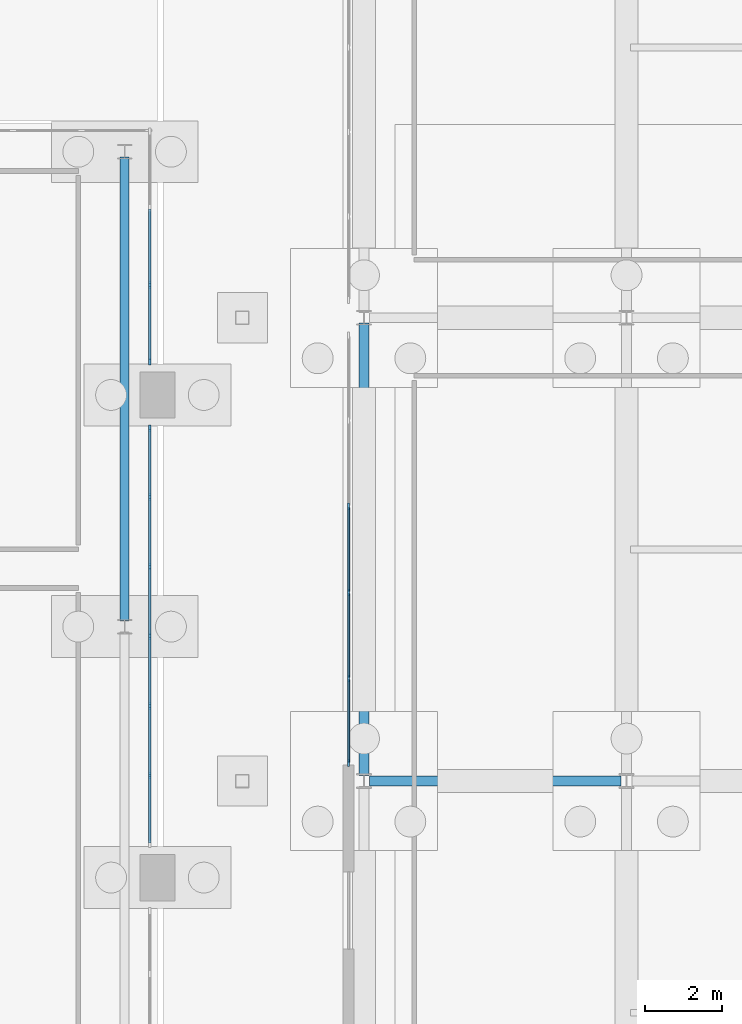
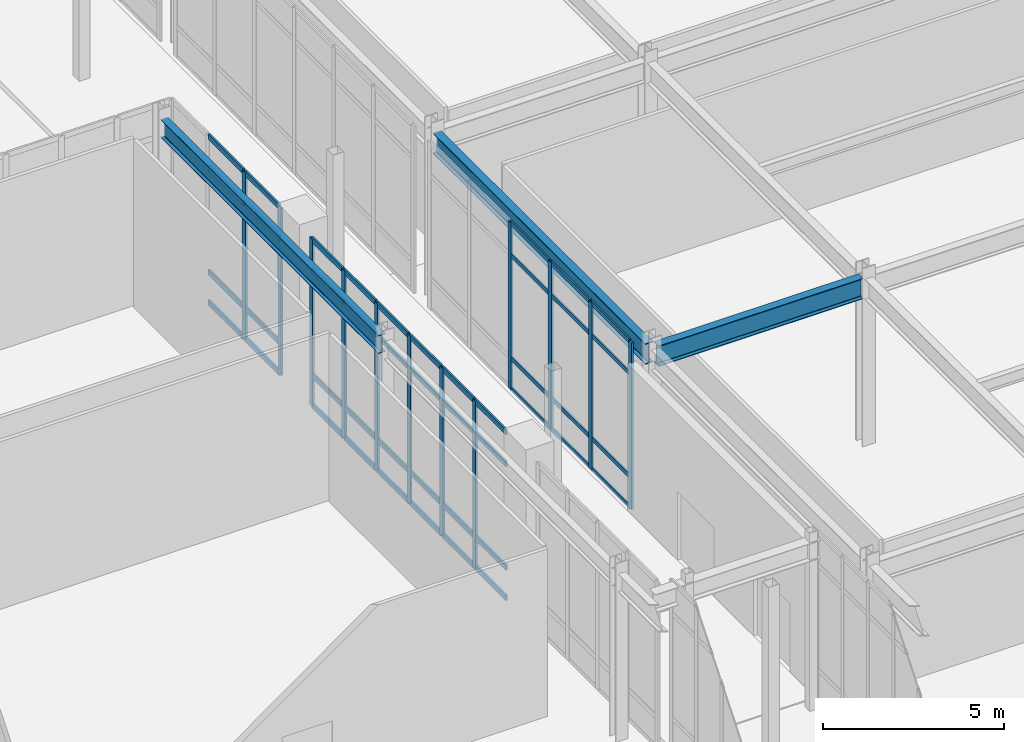
# One storey, part 62 of 143: 56 members, 3 beams, 3 elements without a shape of their own.
"""IFC4 building model written with IfcOpenShell, lengths in metres."""

from ifc_helpers import new_model, si_unit, derived_unit, direction, frame, origin, origin_2d, place, context, subcontext, project, spatial, rectangle, i_section, extrude, material, layer, layer_set, material_profile, profile_set, type_object, element, aggregate, save


model = new_model("IFC4")

# Units and contexts
model_context = context("Model", 3, precision=1e-05, world=origin(), true_north=direction((0.0, 1.0)))
body_context = subcontext(model_context, "Body", "Model", "MODEL_VIEW")
ifc_project = project(units=[si_unit("LENGTHUNIT", "METRE"), si_unit("AREAUNIT", "SQUARE_METRE"), si_unit("VOLUMEUNIT", "CUBIC_METRE"), si_unit("PLANEANGLEUNIT", "RADIAN"), si_unit("MASSUNIT", "GRAM", prefix="KILO"), derived_unit("THERMALTRANSMITTANCEUNIT", [(si_unit("MASSUNIT", "GRAM", prefix="KILO"), 1), (si_unit("TIMEUNIT", "SECOND"), -3), (si_unit("THERMODYNAMICTEMPERATUREUNIT", "KELVIN"), -1)])], contexts=[model_context])

# Site, building, storey
site_placement = place(None, origin())
site = spatial("IfcSite", under=ifc_project, at=site_placement, CompositionType="ELEMENT")
building_placement = place(site_placement, origin())
building = spatial("IfcBuilding", under=site, at=building_placement, Name="Valcora Ridge Arena", CompositionType="ELEMENT")
storey_placement = place(building_placement, origin())
storey = spatial("IfcBuildingStorey", under=building, at=storey_placement, Name="L00", CompositionType="ELEMENT", Elevation=0.0)

# Beams
ifc_material_1 = material(Name="Steel ASTM A572 Grade 50", Category="steel")
ifc_material_profile_1 = material_profile(ifc_material_1, i_section(OverallWidth=0.22900390625, OverallDepth=0.612060546875, WebThickness=0.011962890625, FlangeThickness=0.01953125, FilletRadius=0.01806640625, at=origin_2d()), Name="W24X84")
ifc_profile_set_1 = profile_set([ifc_material_profile_1], Name="Steel ASTM A572 Grade 50")
beam_type_1 = type_object("IfcBeamType", Name="TY-BEAM-G-W24X84-Y", PredefinedType="BEAM", material=ifc_profile_set_1)
beam_1_placement = place(storey_placement, frame((131.0, 32.139892578125, 5.333984375), z_axis=(0.0, 1.0, 0.0), x_axis=(-1.0, 0.0, 0.0)))
element("IfcBeam", 1, at=beam_1_placement, inside=storey, type_object=beam_type_1, Name="G-W24X84-Y BEM-G-W24X84-Y-0008", PredefinedType="BEAM", context=body_context, shape_type="SweptSolid", body=[
    extrude(i_section(OverallWidth=0.22900390625, OverallDepth=0.612060546875, WebThickness=0.011962890625, FlangeThickness=0.01953125, FilletRadius=0.01806640625, at=origin_2d()), origin(), (0.0, 0.0, 1.0), 12.02001953125),
])
ifc_material_profile_2 = material_profile(ifc_material_1, i_section(OverallWidth=0.256103515625, OverallDepth=0.693115234375, WebThickness=0.014404296875, FlangeThickness=0.023681640625, FilletRadius=0.02001953125, at=origin_2d()), Name="W27X114")
ifc_profile_set_2 = profile_set([ifc_material_profile_2], Name="Steel ASTM A572 Grade 50")
beam_type_2 = type_object("IfcBeamType", Name="TY-BEAM-G-W27X114-X", PredefinedType="BEAM", material=ifc_profile_set_2)
beam_2_placement = place(storey_placement, frame((137.340087890625, 28.0, 5.2734375), z_axis=(1.0, 0.0, 0.0), x_axis=(0.0, 1.0, 0.0)))
element("IfcBeam", 2, at=beam_2_placement, inside=storey, type_object=beam_type_2, Name="G-W27X114-X BEM-G-W27X114-X-0004", PredefinedType="BEAM", context=body_context, shape_type="SweptSolid", body=[
    extrude(i_section(OverallWidth=0.256103515625, OverallDepth=0.693115234375, WebThickness=0.014404296875, FlangeThickness=0.023681640625, FilletRadius=0.02001953125, at=origin_2d()), origin(), (0.0, 0.0, 1.0), 6.52001953125),
])
ifc_material_profile_3 = material_profile(ifc_material_1, i_section(OverallWidth=0.256103515625, OverallDepth=0.693115234375, WebThickness=0.014404296875, FlangeThickness=0.023681640625, FilletRadius=0.02001953125, at=origin_2d()), Name="W27X114")
ifc_profile_set_3 = profile_set([ifc_material_profile_3], Name="Steel ASTM A572 Grade 50")
beam_type_3 = type_object("IfcBeamType", Name="TY-BEAM-G-W27X114-Y", PredefinedType="BEAM", material=ifc_profile_set_3)
beam_3_placement = place(storey_placement, frame((137.199951171875, 28.139892578125, 5.2734375), z_axis=(0.0, 1.0, 0.0), x_axis=(-1.0, 0.0, 0.0)))
element("IfcBeam", 3, at=beam_3_placement, inside=storey, type_object=beam_type_3, Name="G-W27X114-Y BEM-G-W27X114-Y-0003", PredefinedType="BEAM", context=body_context, shape_type="SweptSolid", body=[
    extrude(i_section(OverallWidth=0.256103515625, OverallDepth=0.693115234375, WebThickness=0.014404296875, FlangeThickness=0.023681640625, FilletRadius=0.02001953125, at=origin_2d()), origin(), (0.0, 0.0, 1.0), 11.72021484375),
])

# Curtain wall, members
ifc_material_2 = material(Name="Anodised dark bronze architectural aluminium 6063-T6", Category="aluminium")
ifc_layer_1 = layer(ifc_material_2, 0.179931640625, Name="Anodised dark bronze architectural aluminium 6063-T6")
ifc_layer_set_1 = layer_set([ifc_layer_1], Name="Anodised dark bronze architectural aluminium 6063-T6")
curtain_wall_type_1 = type_object("IfcCurtainWallType", Name="TY-CURTAINWALL-CW-V3-LANCET-108X56", PredefinedType="NOTDEFINED", material=ifc_layer_set_1)
curtain_wall_1_placement = place(storey_placement, origin())
curtain_wall_1 = element("IfcCurtainWall", 4, at=curtain_wall_1_placement, inside=storey, type_object=curtain_wall_type_1, Name="CW-V3-LANCET-108X56 CW-0005", PredefinedType="NOTDEFINED")
ifc_material_profile_4 = material_profile(ifc_material_2, rectangle(XDim=0.06005859375, YDim=0.179931640625, at=origin_2d()), Name="ALU MULLION 60x180")
ifc_profile_set_4 = profile_set([ifc_material_profile_4], Name="Anodised dark bronze architectural aluminium 6063-T6")
member_type_1 = type_object("IfcMemberType", Name="TY-MEM-CWM-60x180", PredefinedType="MULLION", material=ifc_profile_set_4)
member_1_placement = place(storey_placement, frame((131.64990234375, 28.143310546875, 0.0), z_axis=(0.0, 0.0, 1.0), x_axis=(-1.0, 0.0, 0.0)))
member_1 = element("IfcMember", 5, at=member_1_placement, type_object=member_type_1, Name="CW-0005/CWM-60x180/M01", PredefinedType="MULLION", context=body_context, shape_type="SweptSolid", body=[
    extrude(rectangle(XDim=0.06005859375, YDim=0.179931640625, at=origin_2d()), origin(), (0.0, 0.0, 1.0), 5.639892578125),
])
member_2_placement = place(storey_placement, frame((131.64990234375, 29.94677734375, 0.0), z_axis=(0.0, 0.0, 1.0), x_axis=(-1.0, 0.0, 0.0)))
member_2 = element("IfcMember", 6, at=member_2_placement, type_object=member_type_1, Name="CW-0005/CWM-60x180/M02", PredefinedType="MULLION", context=body_context, shape_type="SweptSolid", body=[
    extrude(rectangle(XDim=0.06005859375, YDim=0.179931640625, at=origin_2d()), origin(), (0.0, 0.0, 1.0), 5.639892578125),
])
member_3_placement = place(storey_placement, frame((131.64990234375, 31.75, 0.0), z_axis=(0.0, 0.0, 1.0), x_axis=(-1.0, 0.0, 0.0)))
member_3 = element("IfcMember", 7, at=member_3_placement, type_object=member_type_1, Name="CW-0005/CWM-60x180/M03", PredefinedType="MULLION", context=body_context, shape_type="SweptSolid", body=[
    extrude(rectangle(XDim=0.06005859375, YDim=0.179931640625, at=origin_2d()), origin(), (0.0, 0.0, 1.0), 5.639892578125),
])
member_4_placement = place(storey_placement, frame((131.64990234375, 33.55322265625, 0.0), z_axis=(0.0, 0.0, 1.0), x_axis=(-1.0, 0.0, 0.0)))
member_4 = element("IfcMember", 8, at=member_4_placement, type_object=member_type_1, Name="CW-0005/CWM-60x180/M04", PredefinedType="MULLION", context=body_context, shape_type="SweptSolid", body=[
    extrude(rectangle(XDim=0.06005859375, YDim=0.179931640625, at=origin_2d()), origin(), (0.0, 0.0, 1.0), 5.639892578125),
])
member_5_placement = place(storey_placement, frame((131.64990234375, 35.356689453125, 0.0), z_axis=(0.0, 0.0, 1.0), x_axis=(-1.0, 0.0, 0.0)))
member_5 = element("IfcMember", 9, at=member_5_placement, type_object=member_type_1, Name="CW-0005/CWM-60x180/M05", PredefinedType="MULLION", context=body_context, shape_type="SweptSolid", body=[
    extrude(rectangle(XDim=0.06005859375, YDim=0.179931640625, at=origin_2d()), origin(), (0.0, 0.0, 1.0), 5.639892578125),
])
member_6_placement = place(storey_placement, frame((131.64990234375, 37.1298828125, 0.0), z_axis=(0.0, 0.0, 1.0), x_axis=(-1.0, 0.0, 0.0)))
member_6 = element("IfcMember", 10, at=member_6_placement, type_object=member_type_1, Name="CW-0005/CWM-60x180/M06", PredefinedType="MULLION", context=body_context, shape_type="SweptSolid", body=[
    extrude(rectangle(XDim=0.06005859375, YDim=0.179931640625, at=origin_2d()), origin(), (0.0, 0.0, 1.0), 5.639892578125),
])

ifc_layer_2 = layer(ifc_material_2, 0.179931640625, Name="Anodised dark bronze architectural aluminium 6063-T6")
ifc_layer_set_2 = layer_set([ifc_layer_2], Name="Anodised dark bronze architectural aluminium 6063-T6")
curtain_wall_type_2 = type_object("IfcCurtainWallType", Name="TY-CURTAINWALL-CW-V3-LANCET-060X56", PredefinedType="NOTDEFINED", material=ifc_layer_set_2)
curtain_wall_2_placement = place(storey_placement, origin())
curtain_wall_2 = element("IfcCurtainWall", 11, at=curtain_wall_2_placement, inside=storey, type_object=curtain_wall_type_2, Name="CW-V3-LANCET-060X56 CW-0006", PredefinedType="NOTDEFINED")
member_7_placement = place(storey_placement, frame((131.64990234375, 38.8701171875, 0.0), z_axis=(0.0, 0.0, 1.0), x_axis=(-1.0, 0.0, 0.0)))
member_7 = element("IfcMember", 12, at=member_7_placement, type_object=member_type_1, Name="CW-0006/CWM-60x180/M00", PredefinedType="MULLION", context=body_context, shape_type="SweptSolid", body=[
    extrude(rectangle(XDim=0.06005859375, YDim=0.179931640625, at=origin_2d()), origin(), (0.0, 0.0, 1.0), 5.639892578125),
])
member_8_placement = place(storey_placement, frame((131.64990234375, 40.84326171875, 0.0), z_axis=(0.0, 0.0, 1.0), x_axis=(-1.0, 0.0, 0.0)))
member_8 = element("IfcMember", 13, at=member_8_placement, type_object=member_type_1, Name="CW-0006/CWM-60x180/M01", PredefinedType="MULLION", context=body_context, shape_type="SweptSolid", body=[
    extrude(rectangle(XDim=0.06005859375, YDim=0.179931640625, at=origin_2d()), origin(), (0.0, 0.0, 1.0), 5.639892578125),
])

ifc_layer_3 = layer(ifc_material_2, 0.179931640625, Name="Anodised dark bronze architectural aluminium 6063-T6")
ifc_layer_set_3 = layer_set([ifc_layer_3], Name="Anodised dark bronze architectural aluminium 6063-T6")
curtain_wall_type_3 = type_object("IfcCurtainWallType", Name="TY-CURTAINWALL-CW-V2-GLAZ-111X56", PredefinedType="NOTDEFINED", material=ifc_layer_set_3)
curtain_wall_3_placement = place(storey_placement, origin())
curtain_wall_3 = element("IfcCurtainWall", 14, at=curtain_wall_3_placement, inside=storey, type_object=curtain_wall_type_3, Name="CW-V2-GLAZ-111X56 CW-0021", PredefinedType="NOTDEFINED")
member_9_placement = place(storey_placement, frame((136.800048828125, 28.462890625, 0.0), z_axis=(0.0, 0.0, 1.0), x_axis=(-1.0, 0.0, 0.0)))
member_9 = element("IfcMember", 15, at=member_9_placement, type_object=member_type_1, Name="CW-0021/CWM-60x180/M00", PredefinedType="MULLION", context=body_context, shape_type="SweptSolid", body=[
    extrude(rectangle(XDim=0.06005859375, YDim=0.179931640625, at=origin_2d()), origin(), (0.0, 0.0, 1.0), 5.6201171875),
])
member_10_placement = place(storey_placement, frame((136.800048828125, 30.659912109375, 0.0), z_axis=(0.0, 0.0, 1.0), x_axis=(-1.0, 0.0, 0.0)))
member_10 = element("IfcMember", 16, at=member_10_placement, type_object=member_type_1, Name="CW-0021/CWM-60x180/M01", PredefinedType="MULLION", context=body_context, shape_type="SweptSolid", body=[
    extrude(rectangle(XDim=0.06005859375, YDim=0.179931640625, at=origin_2d()), origin(), (0.0, 0.0, 1.0), 5.6201171875),
])
member_11_placement = place(storey_placement, frame((136.800048828125, 32.88671875, 0.0), z_axis=(0.0, 0.0, 1.0), x_axis=(-1.0, 0.0, 0.0)))
member_11 = element("IfcMember", 17, at=member_11_placement, type_object=member_type_1, Name="CW-0021/CWM-60x180/M02", PredefinedType="MULLION", context=body_context, shape_type="SweptSolid", body=[
    extrude(rectangle(XDim=0.06005859375, YDim=0.179931640625, at=origin_2d()), origin(), (0.0, 0.0, 1.0), 5.6201171875),
])
member_12_placement = place(storey_placement, frame((136.800048828125, 35.11328125, 0.0), z_axis=(0.0, 0.0, 1.0), x_axis=(-1.0, 0.0, 0.0)))
member_12 = element("IfcMember", 18, at=member_12_placement, type_object=member_type_1, Name="CW-0021/CWM-60x180/M03", PredefinedType="MULLION", context=body_context, shape_type="SweptSolid", body=[
    extrude(rectangle(XDim=0.06005859375, YDim=0.179931640625, at=origin_2d()), origin(), (0.0, 0.0, 1.0), 5.6201171875),
])
ifc_material_profile_5 = material_profile(ifc_material_2, rectangle(XDim=0.050048828125, YDim=0.14990234375, at=origin_2d()), Name="ALU TRANSOM 50x150")
ifc_profile_set_5 = profile_set([ifc_material_profile_5], Name="Anodised dark bronze architectural aluminium 6063-T6")
member_type_2 = type_object("IfcMemberType", Name="TY-MEM-CWT-50x150", PredefinedType="USERDEFINED", material=ifc_profile_set_5)
member_13_placement = place(storey_placement, frame((136.800048828125, 28.492919921875, 0.02490234375), z_axis=(0.0, 1.0, 0.0), x_axis=(-1.0, 0.0, 0.0)))
member_13 = element("IfcMember", 19, at=member_13_placement, type_object=member_type_2, Name="CW-0021/CWT-50x150/T00-00", ObjectType="TRANSOM", PredefinedType="USERDEFINED", context=body_context, shape_type="SweptSolid", body=[
    extrude(rectangle(XDim=0.050048828125, YDim=0.14990234375, at=origin_2d()), origin(), (0.0, 0.0, 1.0), 2.136962890625),
])
member_14_placement = place(storey_placement, frame((136.800048828125, 28.492919921875, 1.050048828125), z_axis=(0.0, 1.0, 0.0), x_axis=(-1.0, 0.0, 0.0)))
member_14 = element("IfcMember", 20, at=member_14_placement, type_object=member_type_2, Name="CW-0021/CWT-50x150/T00-01", ObjectType="TRANSOM", PredefinedType="USERDEFINED", context=body_context, shape_type="SweptSolid", body=[
    extrude(rectangle(XDim=0.050048828125, YDim=0.14990234375, at=origin_2d()), origin(), (0.0, 0.0, 1.0), 2.136962890625),
])
member_15_placement = place(storey_placement, frame((136.800048828125, 28.492919921875, 4.52001953125), z_axis=(0.0, 1.0, 0.0), x_axis=(-1.0, 0.0, 0.0)))
member_15 = element("IfcMember", 21, at=member_15_placement, type_object=member_type_2, Name="CW-0021/CWT-50x150/T00-02", ObjectType="TRANSOM", PredefinedType="USERDEFINED", context=body_context, shape_type="SweptSolid", body=[
    extrude(rectangle(XDim=0.050048828125, YDim=0.14990234375, at=origin_2d()), origin(), (0.0, 0.0, 1.0), 2.136962890625),
])
member_16_placement = place(storey_placement, frame((136.800048828125, 28.492919921875, 5.594970703125), z_axis=(0.0, 1.0, 0.0), x_axis=(-1.0, 0.0, 0.0)))
member_16 = element("IfcMember", 22, at=member_16_placement, type_object=member_type_2, Name="CW-0021/CWT-50x150/T00-03", ObjectType="TRANSOM", PredefinedType="USERDEFINED", context=body_context, shape_type="SweptSolid", body=[
    extrude(rectangle(XDim=0.050048828125, YDim=0.14990234375, at=origin_2d()), origin(), (0.0, 0.0, 1.0), 2.136962890625),
])
member_17_placement = place(storey_placement, frame((136.800048828125, 30.68994140625, 0.02490234375), z_axis=(0.0, 1.0, 0.0), x_axis=(-1.0, 0.0, 0.0)))
member_17 = element("IfcMember", 23, at=member_17_placement, type_object=member_type_2, Name="CW-0021/CWT-50x150/T01-00", ObjectType="TRANSOM", PredefinedType="USERDEFINED", context=body_context, shape_type="SweptSolid", body=[
    extrude(rectangle(XDim=0.050048828125, YDim=0.14990234375, at=origin_2d()), origin(), (0.0, 0.0, 1.0), 2.1669921875),
])
member_18_placement = place(storey_placement, frame((136.800048828125, 30.68994140625, 1.050048828125), z_axis=(0.0, 1.0, 0.0), x_axis=(-1.0, 0.0, 0.0)))
member_18 = element("IfcMember", 24, at=member_18_placement, type_object=member_type_2, Name="CW-0021/CWT-50x150/T01-01", ObjectType="TRANSOM", PredefinedType="USERDEFINED", context=body_context, shape_type="SweptSolid", body=[
    extrude(rectangle(XDim=0.050048828125, YDim=0.14990234375, at=origin_2d()), origin(), (0.0, 0.0, 1.0), 2.1669921875),
])
member_19_placement = place(storey_placement, frame((136.800048828125, 30.68994140625, 4.52001953125), z_axis=(0.0, 1.0, 0.0), x_axis=(-1.0, 0.0, 0.0)))
member_19 = element("IfcMember", 25, at=member_19_placement, type_object=member_type_2, Name="CW-0021/CWT-50x150/T01-02", ObjectType="TRANSOM", PredefinedType="USERDEFINED", context=body_context, shape_type="SweptSolid", body=[
    extrude(rectangle(XDim=0.050048828125, YDim=0.14990234375, at=origin_2d()), origin(), (0.0, 0.0, 1.0), 2.1669921875),
])
member_20_placement = place(storey_placement, frame((136.800048828125, 30.68994140625, 5.594970703125), z_axis=(0.0, 1.0, 0.0), x_axis=(-1.0, 0.0, 0.0)))
member_20 = element("IfcMember", 26, at=member_20_placement, type_object=member_type_2, Name="CW-0021/CWT-50x150/T01-03", ObjectType="TRANSOM", PredefinedType="USERDEFINED", context=body_context, shape_type="SweptSolid", body=[
    extrude(rectangle(XDim=0.050048828125, YDim=0.14990234375, at=origin_2d()), origin(), (0.0, 0.0, 1.0), 2.1669921875),
])
member_21_placement = place(storey_placement, frame((136.800048828125, 32.9169921875, 0.02490234375), z_axis=(0.0, 1.0, 0.0), x_axis=(-1.0, 0.0, 0.0)))
member_21 = element("IfcMember", 27, at=member_21_placement, type_object=member_type_2, Name="CW-0021/CWT-50x150/T02-00", ObjectType="TRANSOM", PredefinedType="USERDEFINED", context=body_context, shape_type="SweptSolid", body=[
    extrude(rectangle(XDim=0.050048828125, YDim=0.14990234375, at=origin_2d()), origin(), (0.0, 0.0, 1.0), 2.166015625),
])
member_22_placement = place(storey_placement, frame((136.800048828125, 32.9169921875, 1.050048828125), z_axis=(0.0, 1.0, 0.0), x_axis=(-1.0, 0.0, 0.0)))
member_22 = element("IfcMember", 28, at=member_22_placement, type_object=member_type_2, Name="CW-0021/CWT-50x150/T02-01", ObjectType="TRANSOM", PredefinedType="USERDEFINED", context=body_context, shape_type="SweptSolid", body=[
    extrude(rectangle(XDim=0.050048828125, YDim=0.14990234375, at=origin_2d()), origin(), (0.0, 0.0, 1.0), 2.166015625),
])
member_23_placement = place(storey_placement, frame((136.800048828125, 32.9169921875, 4.52001953125), z_axis=(0.0, 1.0, 0.0), x_axis=(-1.0, 0.0, 0.0)))
member_23 = element("IfcMember", 29, at=member_23_placement, type_object=member_type_2, Name="CW-0021/CWT-50x150/T02-02", ObjectType="TRANSOM", PredefinedType="USERDEFINED", context=body_context, shape_type="SweptSolid", body=[
    extrude(rectangle(XDim=0.050048828125, YDim=0.14990234375, at=origin_2d()), origin(), (0.0, 0.0, 1.0), 2.166015625),
])
member_24_placement = place(storey_placement, frame((136.800048828125, 32.9169921875, 5.594970703125), z_axis=(0.0, 1.0, 0.0), x_axis=(-1.0, 0.0, 0.0)))
member_24 = element("IfcMember", 30, at=member_24_placement, type_object=member_type_2, Name="CW-0021/CWT-50x150/T02-03", ObjectType="TRANSOM", PredefinedType="USERDEFINED", context=body_context, shape_type="SweptSolid", body=[
    extrude(rectangle(XDim=0.050048828125, YDim=0.14990234375, at=origin_2d()), origin(), (0.0, 0.0, 1.0), 2.166015625),
])
aggregate(curtain_wall_3, [member_9, member_10, member_11, member_12, member_13, member_14, member_15, member_16, member_17, member_18, member_19, member_20, member_21, member_22, member_23, member_24])

# Member
ifc_material_profile_6 = material_profile(ifc_material_2, rectangle(XDim=0.06005859375, YDim=0.179931640625, at=origin_2d()), Name="ALU TRANSOM 60x180")
ifc_profile_set_6 = profile_set([ifc_material_profile_6], Name="Anodised dark bronze architectural aluminium 6063-T6")
member_type_3 = type_object("IfcMemberType", Name="TY-MEM-CWT-60x180", PredefinedType="USERDEFINED", material=ifc_profile_set_6)
member_25_placement = place(storey_placement, frame((131.64990234375, 26.39990234375, 0.030029296875), z_axis=(0.0, 1.0, 0.0), x_axis=(-1.0, 0.0, 0.0)))
member_25 = element("IfcMember", 31, at=member_25_placement, type_object=member_type_3, Name="CW-0005/CWT-60x180/T00-00", ObjectType="TRANSOM", PredefinedType="USERDEFINED", context=body_context, shape_type="SweptSolid", body=[
    extrude(rectangle(XDim=0.06005859375, YDim=0.179931640625, at=origin_2d()), origin(), (0.0, 0.0, 1.0), 1.713134765625),
])

member_26_placement = place(storey_placement, frame((131.64990234375, 26.39990234375, 1.050048828125), z_axis=(0.0, 1.0, 0.0), x_axis=(-1.0, 0.0, 0.0)))
member_26 = element("IfcMember", 32, at=member_26_placement, type_object=member_type_3, Name="CW-0005/CWT-60x180/T00-01", ObjectType="TRANSOM", PredefinedType="USERDEFINED", context=body_context, shape_type="SweptSolid", body=[
    extrude(rectangle(XDim=0.06005859375, YDim=0.179931640625, at=origin_2d()), origin(), (0.0, 0.0, 1.0), 1.713134765625),
])

member_27_placement = place(storey_placement, frame((131.64990234375, 26.39990234375, 4.5400390625), z_axis=(0.0, 1.0, 0.0), x_axis=(-1.0, 0.0, 0.0)))
member_27 = element("IfcMember", 33, at=member_27_placement, type_object=member_type_3, Name="CW-0005/CWT-60x180/T00-02", ObjectType="TRANSOM", PredefinedType="USERDEFINED", context=body_context, shape_type="SweptSolid", body=[
    extrude(rectangle(XDim=0.06005859375, YDim=0.179931640625, at=origin_2d()), origin(), (0.0, 0.0, 1.0), 1.713134765625),
])

member_28_placement = place(storey_placement, frame((131.64990234375, 26.39990234375, 5.610107421875), z_axis=(0.0, 1.0, 0.0), x_axis=(-1.0, 0.0, 0.0)))
member_28 = element("IfcMember", 34, at=member_28_placement, type_object=member_type_3, Name="CW-0005/CWT-60x180/T00-03", ObjectType="TRANSOM", PredefinedType="USERDEFINED", context=body_context, shape_type="SweptSolid", body=[
    extrude(rectangle(XDim=0.06005859375, YDim=0.179931640625, at=origin_2d()), origin(), (0.0, 0.0, 1.0), 1.713134765625),
])

member_29_placement = place(storey_placement, frame((131.64990234375, 28.173095703125, 0.030029296875), z_axis=(0.0, 1.0, 0.0), x_axis=(-1.0, 0.0, 0.0)))
member_29 = element("IfcMember", 35, at=member_29_placement, type_object=member_type_3, Name="CW-0005/CWT-60x180/T01-00", ObjectType="TRANSOM", PredefinedType="USERDEFINED", context=body_context, shape_type="SweptSolid", body=[
    extrude(rectangle(XDim=0.06005859375, YDim=0.179931640625, at=origin_2d()), origin(), (0.0, 0.0, 1.0), 1.743896484375),
])

member_30_placement = place(storey_placement, frame((131.64990234375, 28.173095703125, 1.050048828125), z_axis=(0.0, 1.0, 0.0), x_axis=(-1.0, 0.0, 0.0)))
member_30 = element("IfcMember", 36, at=member_30_placement, type_object=member_type_3, Name="CW-0005/CWT-60x180/T01-01", ObjectType="TRANSOM", PredefinedType="USERDEFINED", context=body_context, shape_type="SweptSolid", body=[
    extrude(rectangle(XDim=0.06005859375, YDim=0.179931640625, at=origin_2d()), origin(), (0.0, 0.0, 1.0), 1.743896484375),
])

member_31_placement = place(storey_placement, frame((131.64990234375, 28.173095703125, 4.5400390625), z_axis=(0.0, 1.0, 0.0), x_axis=(-1.0, 0.0, 0.0)))
member_31 = element("IfcMember", 37, at=member_31_placement, type_object=member_type_3, Name="CW-0005/CWT-60x180/T01-02", ObjectType="TRANSOM", PredefinedType="USERDEFINED", context=body_context, shape_type="SweptSolid", body=[
    extrude(rectangle(XDim=0.06005859375, YDim=0.179931640625, at=origin_2d()), origin(), (0.0, 0.0, 1.0), 1.743896484375),
])

member_32_placement = place(storey_placement, frame((131.64990234375, 28.173095703125, 5.610107421875), z_axis=(0.0, 1.0, 0.0), x_axis=(-1.0, 0.0, 0.0)))
member_32 = element("IfcMember", 38, at=member_32_placement, type_object=member_type_3, Name="CW-0005/CWT-60x180/T01-03", ObjectType="TRANSOM", PredefinedType="USERDEFINED", context=body_context, shape_type="SweptSolid", body=[
    extrude(rectangle(XDim=0.06005859375, YDim=0.179931640625, at=origin_2d()), origin(), (0.0, 0.0, 1.0), 1.743896484375),
])

member_33_placement = place(storey_placement, frame((131.64990234375, 29.97705078125, 0.030029296875), z_axis=(0.0, 1.0, 0.0), x_axis=(-1.0, 0.0, 0.0)))
member_33 = element("IfcMember", 39, at=member_33_placement, type_object=member_type_3, Name="CW-0005/CWT-60x180/T02-00", ObjectType="TRANSOM", PredefinedType="USERDEFINED", context=body_context, shape_type="SweptSolid", body=[
    extrude(rectangle(XDim=0.06005859375, YDim=0.179931640625, at=origin_2d()), origin(), (0.0, 0.0, 1.0), 1.742919921875),
])

member_34_placement = place(storey_placement, frame((131.64990234375, 29.97705078125, 1.050048828125), z_axis=(0.0, 1.0, 0.0), x_axis=(-1.0, 0.0, 0.0)))
member_34 = element("IfcMember", 40, at=member_34_placement, type_object=member_type_3, Name="CW-0005/CWT-60x180/T02-01", ObjectType="TRANSOM", PredefinedType="USERDEFINED", context=body_context, shape_type="SweptSolid", body=[
    extrude(rectangle(XDim=0.06005859375, YDim=0.179931640625, at=origin_2d()), origin(), (0.0, 0.0, 1.0), 1.742919921875),
])

member_35_placement = place(storey_placement, frame((131.64990234375, 29.97705078125, 4.5400390625), z_axis=(0.0, 1.0, 0.0), x_axis=(-1.0, 0.0, 0.0)))
member_35 = element("IfcMember", 41, at=member_35_placement, type_object=member_type_3, Name="CW-0005/CWT-60x180/T02-02", ObjectType="TRANSOM", PredefinedType="USERDEFINED", context=body_context, shape_type="SweptSolid", body=[
    extrude(rectangle(XDim=0.06005859375, YDim=0.179931640625, at=origin_2d()), origin(), (0.0, 0.0, 1.0), 1.742919921875),
])

member_36_placement = place(storey_placement, frame((131.64990234375, 29.97705078125, 5.610107421875), z_axis=(0.0, 1.0, 0.0), x_axis=(-1.0, 0.0, 0.0)))
member_36 = element("IfcMember", 42, at=member_36_placement, type_object=member_type_3, Name="CW-0005/CWT-60x180/T02-03", ObjectType="TRANSOM", PredefinedType="USERDEFINED", context=body_context, shape_type="SweptSolid", body=[
    extrude(rectangle(XDim=0.06005859375, YDim=0.179931640625, at=origin_2d()), origin(), (0.0, 0.0, 1.0), 1.742919921875),
])

member_37_placement = place(storey_placement, frame((131.64990234375, 31.780029296875, 0.030029296875), z_axis=(0.0, 1.0, 0.0), x_axis=(-1.0, 0.0, 0.0)))
member_37 = element("IfcMember", 43, at=member_37_placement, type_object=member_type_3, Name="CW-0005/CWT-60x180/T03-00", ObjectType="TRANSOM", PredefinedType="USERDEFINED", context=body_context, shape_type="SweptSolid", body=[
    extrude(rectangle(XDim=0.06005859375, YDim=0.179931640625, at=origin_2d()), origin(), (0.0, 0.0, 1.0), 1.742919921875),
])

member_38_placement = place(storey_placement, frame((131.64990234375, 31.780029296875, 1.050048828125), z_axis=(0.0, 1.0, 0.0), x_axis=(-1.0, 0.0, 0.0)))
member_38 = element("IfcMember", 44, at=member_38_placement, type_object=member_type_3, Name="CW-0005/CWT-60x180/T03-01", ObjectType="TRANSOM", PredefinedType="USERDEFINED", context=body_context, shape_type="SweptSolid", body=[
    extrude(rectangle(XDim=0.06005859375, YDim=0.179931640625, at=origin_2d()), origin(), (0.0, 0.0, 1.0), 1.742919921875),
])

member_39_placement = place(storey_placement, frame((131.64990234375, 31.780029296875, 4.5400390625), z_axis=(0.0, 1.0, 0.0), x_axis=(-1.0, 0.0, 0.0)))
member_39 = element("IfcMember", 45, at=member_39_placement, type_object=member_type_3, Name="CW-0005/CWT-60x180/T03-02", ObjectType="TRANSOM", PredefinedType="USERDEFINED", context=body_context, shape_type="SweptSolid", body=[
    extrude(rectangle(XDim=0.06005859375, YDim=0.179931640625, at=origin_2d()), origin(), (0.0, 0.0, 1.0), 1.742919921875),
])

member_40_placement = place(storey_placement, frame((131.64990234375, 31.780029296875, 5.610107421875), z_axis=(0.0, 1.0, 0.0), x_axis=(-1.0, 0.0, 0.0)))
member_40 = element("IfcMember", 46, at=member_40_placement, type_object=member_type_3, Name="CW-0005/CWT-60x180/T03-03", ObjectType="TRANSOM", PredefinedType="USERDEFINED", context=body_context, shape_type="SweptSolid", body=[
    extrude(rectangle(XDim=0.06005859375, YDim=0.179931640625, at=origin_2d()), origin(), (0.0, 0.0, 1.0), 1.742919921875),
])

member_41_placement = place(storey_placement, frame((131.64990234375, 33.5830078125, 0.030029296875), z_axis=(0.0, 1.0, 0.0), x_axis=(-1.0, 0.0, 0.0)))
member_41 = element("IfcMember", 47, at=member_41_placement, type_object=member_type_3, Name="CW-0005/CWT-60x180/T04-00", ObjectType="TRANSOM", PredefinedType="USERDEFINED", context=body_context, shape_type="SweptSolid", body=[
    extrude(rectangle(XDim=0.06005859375, YDim=0.179931640625, at=origin_2d()), origin(), (0.0, 0.0, 1.0), 1.743896484375),
])

member_42_placement = place(storey_placement, frame((131.64990234375, 33.5830078125, 1.050048828125), z_axis=(0.0, 1.0, 0.0), x_axis=(-1.0, 0.0, 0.0)))
member_42 = element("IfcMember", 48, at=member_42_placement, type_object=member_type_3, Name="CW-0005/CWT-60x180/T04-01", ObjectType="TRANSOM", PredefinedType="USERDEFINED", context=body_context, shape_type="SweptSolid", body=[
    extrude(rectangle(XDim=0.06005859375, YDim=0.179931640625, at=origin_2d()), origin(), (0.0, 0.0, 1.0), 1.743896484375),
])

member_43_placement = place(storey_placement, frame((131.64990234375, 33.5830078125, 4.5400390625), z_axis=(0.0, 1.0, 0.0), x_axis=(-1.0, 0.0, 0.0)))
member_43 = element("IfcMember", 49, at=member_43_placement, type_object=member_type_3, Name="CW-0005/CWT-60x180/T04-02", ObjectType="TRANSOM", PredefinedType="USERDEFINED", context=body_context, shape_type="SweptSolid", body=[
    extrude(rectangle(XDim=0.06005859375, YDim=0.179931640625, at=origin_2d()), origin(), (0.0, 0.0, 1.0), 1.743896484375),
])

member_44_placement = place(storey_placement, frame((131.64990234375, 33.5830078125, 5.610107421875), z_axis=(0.0, 1.0, 0.0), x_axis=(-1.0, 0.0, 0.0)))
member_44 = element("IfcMember", 50, at=member_44_placement, type_object=member_type_3, Name="CW-0005/CWT-60x180/T04-03", ObjectType="TRANSOM", PredefinedType="USERDEFINED", context=body_context, shape_type="SweptSolid", body=[
    extrude(rectangle(XDim=0.06005859375, YDim=0.179931640625, at=origin_2d()), origin(), (0.0, 0.0, 1.0), 1.743896484375),
])

member_45_placement = place(storey_placement, frame((131.64990234375, 35.386962890625, 0.030029296875), z_axis=(0.0, 1.0, 0.0), x_axis=(-1.0, 0.0, 0.0)))
member_45 = element("IfcMember", 51, at=member_45_placement, type_object=member_type_3, Name="CW-0005/CWT-60x180/T05-00", ObjectType="TRANSOM", PredefinedType="USERDEFINED", context=body_context, shape_type="SweptSolid", body=[
    extrude(rectangle(XDim=0.06005859375, YDim=0.179931640625, at=origin_2d()), origin(), (0.0, 0.0, 1.0), 1.713134765625),
])

member_46_placement = place(storey_placement, frame((131.64990234375, 35.386962890625, 1.050048828125), z_axis=(0.0, 1.0, 0.0), x_axis=(-1.0, 0.0, 0.0)))
member_46 = element("IfcMember", 52, at=member_46_placement, type_object=member_type_3, Name="CW-0005/CWT-60x180/T05-01", ObjectType="TRANSOM", PredefinedType="USERDEFINED", context=body_context, shape_type="SweptSolid", body=[
    extrude(rectangle(XDim=0.06005859375, YDim=0.179931640625, at=origin_2d()), origin(), (0.0, 0.0, 1.0), 1.713134765625),
])

member_47_placement = place(storey_placement, frame((131.64990234375, 35.386962890625, 4.5400390625), z_axis=(0.0, 1.0, 0.0), x_axis=(-1.0, 0.0, 0.0)))
member_47 = element("IfcMember", 53, at=member_47_placement, type_object=member_type_3, Name="CW-0005/CWT-60x180/T05-02", ObjectType="TRANSOM", PredefinedType="USERDEFINED", context=body_context, shape_type="SweptSolid", body=[
    extrude(rectangle(XDim=0.06005859375, YDim=0.179931640625, at=origin_2d()), origin(), (0.0, 0.0, 1.0), 1.713134765625),
])

member_48_placement = place(storey_placement, frame((131.64990234375, 35.386962890625, 5.610107421875), z_axis=(0.0, 1.0, 0.0), x_axis=(-1.0, 0.0, 0.0)))
member_48 = element("IfcMember", 54, at=member_48_placement, type_object=member_type_3, Name="CW-0005/CWT-60x180/T05-03", ObjectType="TRANSOM", PredefinedType="USERDEFINED", context=body_context, shape_type="SweptSolid", body=[
    extrude(rectangle(XDim=0.06005859375, YDim=0.179931640625, at=origin_2d()), origin(), (0.0, 0.0, 1.0), 1.713134765625),
])

aggregate(curtain_wall_1, [member_1, member_2, member_3, member_4, member_5, member_6, member_25, member_26, member_27, member_28, member_29, member_30, member_31, member_32, member_33, member_34, member_35, member_36, member_37, member_38, member_39, member_40, member_41, member_42, member_43, member_44, member_45, member_46, member_47, member_48])

member_49_placement = place(storey_placement, frame((131.64990234375, 38.89990234375, 0.030029296875), z_axis=(0.0, 1.0, 0.0), x_axis=(-1.0, 0.0, 0.0)))
member_49 = element("IfcMember", 55, at=member_49_placement, type_object=member_type_3, Name="CW-0006/CWT-60x180/T00-00", ObjectType="TRANSOM", PredefinedType="USERDEFINED", context=body_context, shape_type="SweptSolid", body=[
    extrude(rectangle(XDim=0.06005859375, YDim=0.179931640625, at=origin_2d()), origin(), (0.0, 0.0, 1.0), 1.9130859375),
])

member_50_placement = place(storey_placement, frame((131.64990234375, 38.89990234375, 1.050048828125), z_axis=(0.0, 1.0, 0.0), x_axis=(-1.0, 0.0, 0.0)))
member_50 = element("IfcMember", 56, at=member_50_placement, type_object=member_type_3, Name="CW-0006/CWT-60x180/T00-01", ObjectType="TRANSOM", PredefinedType="USERDEFINED", context=body_context, shape_type="SweptSolid", body=[
    extrude(rectangle(XDim=0.06005859375, YDim=0.179931640625, at=origin_2d()), origin(), (0.0, 0.0, 1.0), 1.9130859375),
])

member_51_placement = place(storey_placement, frame((131.64990234375, 38.89990234375, 4.5400390625), z_axis=(0.0, 1.0, 0.0), x_axis=(-1.0, 0.0, 0.0)))
member_51 = element("IfcMember", 57, at=member_51_placement, type_object=member_type_3, Name="CW-0006/CWT-60x180/T00-02", ObjectType="TRANSOM", PredefinedType="USERDEFINED", context=body_context, shape_type="SweptSolid", body=[
    extrude(rectangle(XDim=0.06005859375, YDim=0.179931640625, at=origin_2d()), origin(), (0.0, 0.0, 1.0), 1.9130859375),
])

member_52_placement = place(storey_placement, frame((131.64990234375, 38.89990234375, 5.610107421875), z_axis=(0.0, 1.0, 0.0), x_axis=(-1.0, 0.0, 0.0)))
member_52 = element("IfcMember", 58, at=member_52_placement, type_object=member_type_3, Name="CW-0006/CWT-60x180/T00-03", ObjectType="TRANSOM", PredefinedType="USERDEFINED", context=body_context, shape_type="SweptSolid", body=[
    extrude(rectangle(XDim=0.06005859375, YDim=0.179931640625, at=origin_2d()), origin(), (0.0, 0.0, 1.0), 1.9130859375),
])

member_53_placement = place(storey_placement, frame((131.64990234375, 40.873046875, 0.030029296875), z_axis=(0.0, 1.0, 0.0), x_axis=(-1.0, 0.0, 0.0)))
member_53 = element("IfcMember", 59, at=member_53_placement, type_object=member_type_3, Name="CW-0006/CWT-60x180/T01-00", ObjectType="TRANSOM", PredefinedType="USERDEFINED", context=body_context, shape_type="SweptSolid", body=[
    extrude(rectangle(XDim=0.06005859375, YDim=0.179931640625, at=origin_2d()), origin(), (0.0, 0.0, 1.0), 1.94384765625),
])

member_54_placement = place(storey_placement, frame((131.64990234375, 40.873046875, 1.050048828125), z_axis=(0.0, 1.0, 0.0), x_axis=(-1.0, 0.0, 0.0)))
member_54 = element("IfcMember", 60, at=member_54_placement, type_object=member_type_3, Name="CW-0006/CWT-60x180/T01-01", ObjectType="TRANSOM", PredefinedType="USERDEFINED", context=body_context, shape_type="SweptSolid", body=[
    extrude(rectangle(XDim=0.06005859375, YDim=0.179931640625, at=origin_2d()), origin(), (0.0, 0.0, 1.0), 1.94384765625),
])

member_55_placement = place(storey_placement, frame((131.64990234375, 40.873046875, 4.5400390625), z_axis=(0.0, 1.0, 0.0), x_axis=(-1.0, 0.0, 0.0)))
member_55 = element("IfcMember", 61, at=member_55_placement, type_object=member_type_3, Name="CW-0006/CWT-60x180/T01-02", ObjectType="TRANSOM", PredefinedType="USERDEFINED", context=body_context, shape_type="SweptSolid", body=[
    extrude(rectangle(XDim=0.06005859375, YDim=0.179931640625, at=origin_2d()), origin(), (0.0, 0.0, 1.0), 1.94384765625),
])

member_56_placement = place(storey_placement, frame((131.64990234375, 40.873046875, 5.610107421875), z_axis=(0.0, 1.0, 0.0), x_axis=(-1.0, 0.0, 0.0)))
member_56 = element("IfcMember", 62, at=member_56_placement, type_object=member_type_3, Name="CW-0006/CWT-60x180/T01-03", ObjectType="TRANSOM", PredefinedType="USERDEFINED", context=body_context, shape_type="SweptSolid", body=[
    extrude(rectangle(XDim=0.06005859375, YDim=0.179931640625, at=origin_2d()), origin(), (0.0, 0.0, 1.0), 1.94384765625),
])

aggregate(curtain_wall_2, [member_7, member_8, member_49, member_50, member_51, member_52, member_53, member_54, member_55, member_56])

save(model, "model.ifc")
